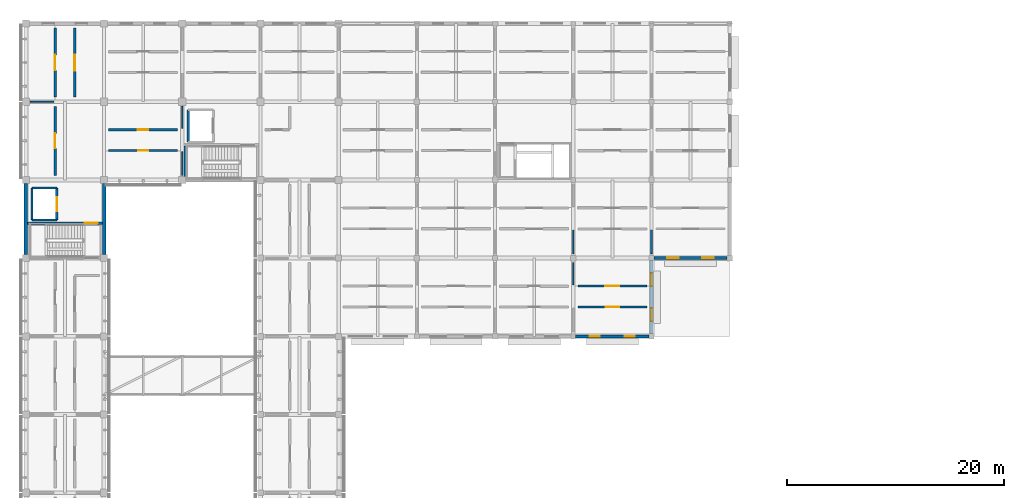
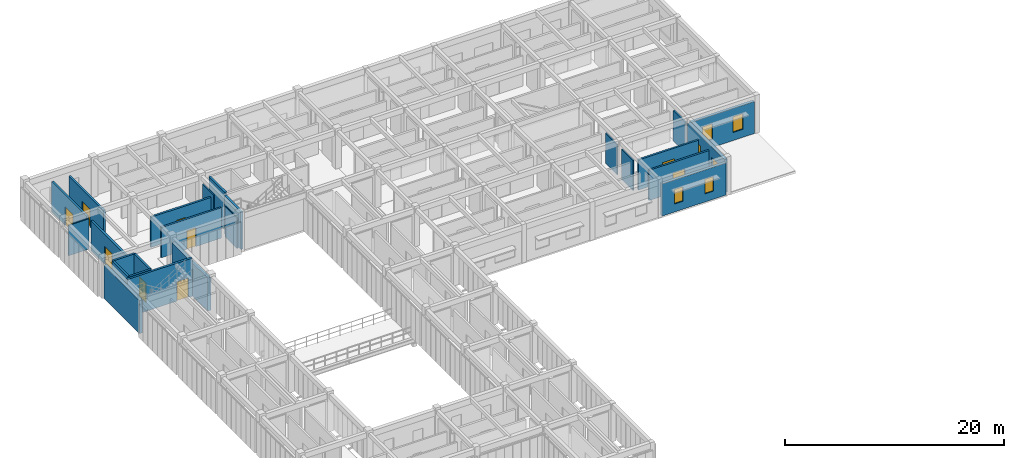
# One storey, part 73 of 91: 25 walls, 9 doors, 6 windows, 15 openings.
"""IFC4 building model written with IfcOpenShell, lengths in metres."""

from ifc_helpers import new_model, si_unit, direction, frame, frame_2d, origin, place, context, subcontext, project, spatial, rectangle, extrude, material, layer, layer_set, type_object, element, fill, save


model = new_model("IFC4")

# Units and contexts
model_context = context("Model", 3, precision=1e-05, world=origin(), true_north=direction((0.0, 1.0)))
body_context = subcontext(model_context, "Body", "Model", "MODEL_VIEW")
ifc_project = project(units=[si_unit("LENGTHUNIT", "METRE"), si_unit("AREAUNIT", "SQUARE_METRE"), si_unit("VOLUMEUNIT", "CUBIC_METRE"), si_unit("PLANEANGLEUNIT", "RADIAN"), si_unit("MASSUNIT", "GRAM", prefix="KILO")], contexts=[model_context])

# Site, building, storey
site_placement = place(None, origin())
site = spatial("IfcSite", under=ifc_project, at=site_placement, CompositionType="ELEMENT")
building_placement = place(site_placement, origin())
building = spatial("IfcBuilding", under=site, at=building_placement, Name="Aldebral Square Health Centre", CompositionType="ELEMENT")
storey_placement = place(building_placement, frame((0.0, 0.0, 9.0)))
storey = spatial("IfcBuildingStorey", under=building, at=storey_placement, Name="L02", CompositionType="ELEMENT", Elevation=9.0)

# Wall, openings, windows
ifc_material_1 = material(Name="Ochre mineral-rendered concrete C35/45 court wall", Category="concrete")
ifc_layer_1 = layer(ifc_material_1, 0.280029296875, Name="Ochre mineral-rendered concrete C35/45 court wall", Category="concrete")
ifc_layer_set_1 = layer_set([ifc_layer_1], Name="Ochre mineral-rendered concrete C35/45 court wall")
wall_type_1 = type_object("IfcWallType", Name="EW-OCH-280", PredefinedType="STANDARD", material=ifc_layer_set_1)
wall_1_placement = place(storey_placement, frame((50.625, 86.39990234375, 0.0), z_axis=(0.0, 0.0, 1.0), x_axis=(1.0, 0.0, 0.0)))
wall_1 = element("IfcWall", 1, at=wall_1_placement, inside=storey, type_object=wall_type_1, Name="L02 V2 exterior wall L02-V2-07-12-S", PredefinedType="STANDARD", context=body_context, shape_type="SweptSolid", body=[
    extrude(rectangle(XDim=6.72509765625, YDim=0.280029296875, at=frame_2d((3.362548828125, 0.0))), origin(), (0.0, 0.0, 1.0), 3.590087890625),
])
opening_1_placement = place(wall_1_placement, frame((1.300048828125, 0.0, 0.89990234375)))
opening_1 = element("IfcOpeningElement", 2, at=opening_1_placement, cuts=wall_1, Name="Opening W28", PredefinedType="OPENING", context=body_context, shape_type="SweptSolid", body=[
    extrude(rectangle(XDim=0.89990234375, YDim=1.6201171875, at=frame_2d((0.449951171875, 0.81005859375))), frame((0.0, 0.14990234375, 0.0), z_axis=(0.0, -1.0, 0.0), x_axis=(1.0, 0.0, 0.0)), (0.0, 0.0, 1.0), 0.300048828125),
])
opening_2_placement = place(wall_1_placement, frame((4.52490234375, 0.0, 0.89990234375)))
opening_2 = element("IfcOpeningElement", 3, at=opening_2_placement, cuts=wall_1, Name="Opening W28", PredefinedType="OPENING", context=body_context, shape_type="SweptSolid", body=[
    extrude(rectangle(XDim=0.89990234375, YDim=1.6201171875, at=frame_2d((0.449951171875, 0.81005859375))), frame((0.0, 0.14990234375, 0.0), z_axis=(0.0, -1.0, 0.0), x_axis=(1.0, 0.0, 0.0)), (0.0, 0.0, 1.0), 0.300048828125),
])
ifc_material_2 = material(Name="Thermally broken aluminium and low-E glass", Category="aluminium")
window_type_1 = type_object("IfcWindowType", Name="WIN-W28", PartitioningType="SINGLE_PANEL", PredefinedType="WINDOW", material=ifc_material_2)
window_1_placement = place(opening_1_placement, origin())
window_1 = element("IfcWindow", 4, at=window_1_placement, inside=storey, type_object=window_type_1, Name="L02 clinical window L02-V2-07-12-S.1", OverallHeight=1.6201171875, OverallWidth=0.89990234375, PartitioningType="SINGLE_PANEL", PredefinedType="WINDOW", context=body_context, shape_type="SweptSolid", body=[
    extrude(rectangle(XDim=0.89990234375, YDim=1.6201171875, at=frame_2d((0.449951171875, 0.81005859375))), frame((0.0, 0.030029296875, 0.0), z_axis=(0.0, -1.0, 0.0), x_axis=(1.0, 0.0, 0.0)), (0.0, 0.0, 1.0), 0.06005859375),
])
fill(opening_1, window_1)
window_2_placement = place(opening_2_placement, origin())
window_2 = element("IfcWindow", 5, at=window_2_placement, inside=storey, type_object=window_type_1, Name="L02 clinical window L02-V2-07-12-S.2", OverallHeight=1.6201171875, OverallWidth=0.89990234375, PartitioningType="SINGLE_PANEL", PredefinedType="WINDOW", context=body_context, shape_type="SweptSolid", body=[
    extrude(rectangle(XDim=0.89990234375, YDim=1.6201171875, at=frame_2d((0.449951171875, 0.81005859375))), frame((0.0, 0.030029296875, 0.0), z_axis=(0.0, -1.0, 0.0), x_axis=(1.0, 0.0, 0.0)), (0.0, 0.0, 1.0), 0.06005859375),
])
fill(opening_2, window_2)

wall_2_placement = place(storey_placement, frame((57.824951171875, 93.60009765625, 0.0), z_axis=(0.0, 0.0, 1.0), x_axis=(1.0, 0.0, 0.0)))
wall_2 = element("IfcWall", 6, at=wall_2_placement, inside=storey, type_object=wall_type_1, Name="L02 V2 exterior wall L02-V2-08-13-S", PredefinedType="STANDARD", context=body_context, shape_type="SweptSolid", body=[
    extrude(rectangle(XDim=6.72509765625, YDim=0.280029296875, at=frame_2d((3.362548828125, 0.0))), origin(), (0.0, 0.0, 1.0), 3.590087890625),
])
opening_3_placement = place(wall_2_placement, frame((1.22509765625, 0.0, 0.89990234375)))
opening_3 = element("IfcOpeningElement", 7, at=opening_3_placement, cuts=wall_2, Name="Opening W38", PredefinedType="OPENING", context=body_context, shape_type="SweptSolid", body=[
    extrude(rectangle(XDim=1.050048828125, YDim=1.75, at=frame_2d((0.52490234375, 0.875))), frame((0.0, 0.14990234375, 0.0), z_axis=(0.0, -1.0, 0.0), x_axis=(1.0, 0.0, 0.0)), (0.0, 0.0, 1.0), 0.300048828125),
])
opening_4_placement = place(wall_2_placement, frame((4.449951171875, 0.0, 0.89990234375)))
opening_4 = element("IfcOpeningElement", 8, at=opening_4_placement, cuts=wall_2, Name="Opening W38", PredefinedType="OPENING", context=body_context, shape_type="SweptSolid", body=[
    extrude(rectangle(XDim=1.050048828125, YDim=1.75, at=frame_2d((0.52490234375, 0.875))), frame((0.0, 0.14990234375, 0.0), z_axis=(0.0, -1.0, 0.0), x_axis=(1.0, 0.0, 0.0)), (0.0, 0.0, 1.0), 0.300048828125),
])
window_type_2 = type_object("IfcWindowType", Name="WIN-W38", PartitioningType="SINGLE_PANEL", PredefinedType="WINDOW", material=ifc_material_2)
window_3_placement = place(opening_3_placement, origin())
window_3 = element("IfcWindow", 9, at=window_3_placement, inside=storey, type_object=window_type_2, Name="L02 clinical window L02-V2-08-13-S.1", OverallHeight=1.75, OverallWidth=1.050048828125, PartitioningType="SINGLE_PANEL", PredefinedType="WINDOW", context=body_context, shape_type="SweptSolid", body=[
    extrude(rectangle(XDim=1.050048828125, YDim=1.75, at=frame_2d((0.52490234375, 0.875))), frame((0.0, 0.030029296875, 0.0), z_axis=(0.0, -1.0, 0.0), x_axis=(1.0, 0.0, 0.0)), (0.0, 0.0, 1.0), 0.06005859375),
])
fill(opening_3, window_3)
window_4_placement = place(opening_4_placement, origin())
window_4 = element("IfcWindow", 10, at=window_4_placement, inside=storey, type_object=window_type_2, Name="L02 clinical window L02-V2-08-13-S.2", OverallHeight=1.75, OverallWidth=1.050048828125, PartitioningType="SINGLE_PANEL", PredefinedType="WINDOW", context=body_context, shape_type="SweptSolid", body=[
    extrude(rectangle(XDim=1.050048828125, YDim=1.75, at=frame_2d((0.52490234375, 0.875))), frame((0.0, 0.030029296875, 0.0), z_axis=(0.0, -1.0, 0.0), x_axis=(1.0, 0.0, 0.0)), (0.0, 0.0, 1.0), 0.06005859375),
])
fill(opening_4, window_4)

# Walls
ifc_material_3 = material(Name="Precast concrete C40/50 insulated panel", Category="concrete")
ifc_layer_2 = layer(ifc_material_3, 0.320068359375, Name="Precast concrete C40/50 insulated panel", Category="concrete")
ifc_layer_set_2 = layer_set([ifc_layer_2], Name="Precast concrete C40/50 insulated panel")
wall_type_2 = type_object("IfcWallType", Name="EW-PRE-320", PredefinedType="STANDARD", material=ifc_layer_set_2)
for number, where, z_axis, x_axis, name in (
    (11, (0.0, 100.47509765625, 0.0), (0.0, 0.0, 1.0), (0.0, -1.0, 0.0), "L02 V4 exterior wall L02-V4-00-13-W"),
    (12, (7.199951171875, 93.925048828125, 0.0), (0.0, 0.0, 1.0), (0.0, 1.0, 0.0), "L02 V4 exterior wall L02-V4-00-13-E"),
):
    element("IfcWall", number, at=place(storey_placement, frame(where, z_axis=z_axis, x_axis=x_axis)), inside=storey, type_object=wall_type_2, Name=name, PredefinedType="STANDARD", context=body_context, shape_type="SweptSolid", body=[
        extrude(rectangle(XDim=6.550048828125, YDim=0.320068359375, at=frame_2d((3.27490234375, 0.0))), origin(), (0.0, 0.0, 1.0), 3.68994140625),
    ])

# Wall, openings, windows
wall_3_placement = place(storey_placement, frame((57.60009765625, 86.64990234375, 0.0), z_axis=(0.0, 0.0, 1.0), x_axis=(0.0, 1.0, 0.0)))
wall_3 = element("IfcWall", 13, at=wall_3_placement, inside=storey, type_object=wall_type_2, Name="L02 V2 exterior wall L02-V2-07-12-E", PredefinedType="STANDARD", context=body_context, shape_type="SweptSolid", body=[
    extrude(rectangle(XDim=6.72509765625, YDim=0.320068359375, at=frame_2d((3.362548828125, 0.0))), origin(), (0.0, 0.0, 1.0), 3.68994140625),
])
opening_5_placement = place(wall_3_placement, frame((1.14990234375, 0.0, 0.89990234375)))
opening_5 = element("IfcOpeningElement", 14, at=opening_5_placement, cuts=wall_3, Name="Opening W30", PredefinedType="OPENING", context=body_context, shape_type="SweptSolid", body=[
    extrude(rectangle(XDim=1.199951171875, YDim=1.6201171875, at=frame_2d((0.60009765625, 0.81005859375))), frame((0.0, 0.169921875, 0.0), z_axis=(0.0, -1.0, 0.0), x_axis=(1.0, 0.0, 0.0)), (0.0, 0.0, 1.0), 0.340087890625),
])
opening_6_placement = place(wall_3_placement, frame((4.375, 0.0, 0.89990234375)))
opening_6 = element("IfcOpeningElement", 15, at=opening_6_placement, cuts=wall_3, Name="Opening W30", PredefinedType="OPENING", context=body_context, shape_type="SweptSolid", body=[
    extrude(rectangle(XDim=1.199951171875, YDim=1.6201171875, at=frame_2d((0.60009765625, 0.81005859375))), frame((0.0, 0.169921875, 0.0), z_axis=(0.0, -1.0, 0.0), x_axis=(1.0, 0.0, 0.0)), (0.0, 0.0, 1.0), 0.340087890625),
])
window_type_3 = type_object("IfcWindowType", Name="WIN-W30", PartitioningType="SINGLE_PANEL", PredefinedType="WINDOW", material=ifc_material_2)
window_5_placement = place(opening_5_placement, origin())
window_5 = element("IfcWindow", 16, at=window_5_placement, inside=storey, type_object=window_type_3, Name="L02 clinical window L02-V2-07-12-E.1", OverallHeight=1.6201171875, OverallWidth=1.199951171875, PartitioningType="SINGLE_PANEL", PredefinedType="WINDOW", context=body_context, shape_type="SweptSolid", body=[
    extrude(rectangle(XDim=1.199951171875, YDim=1.6201171875, at=frame_2d((0.60009765625, 0.81005859375))), frame((0.0, 0.030029296875, 0.0), z_axis=(0.0, -1.0, 0.0), x_axis=(1.0, 0.0, 0.0)), (0.0, 0.0, 1.0), 0.06005859375),
])
fill(opening_5, window_5)
window_6_placement = place(opening_6_placement, origin())
window_6 = element("IfcWindow", 17, at=window_6_placement, inside=storey, type_object=window_type_3, Name="L02 clinical window L02-V2-07-12-E.2", OverallHeight=1.6201171875, OverallWidth=1.199951171875, PartitioningType="SINGLE_PANEL", PredefinedType="WINDOW", context=body_context, shape_type="SweptSolid", body=[
    extrude(rectangle(XDim=1.199951171875, YDim=1.6201171875, at=frame_2d((0.60009765625, 0.81005859375))), frame((0.0, 0.030029296875, 0.0), z_axis=(0.0, -1.0, 0.0), x_axis=(1.0, 0.0, 0.0)), (0.0, 0.0, 1.0), 0.06005859375),
])
fill(opening_6, window_6)

# Wall, opening, door
ifc_material_4 = material(Name="Concrete C35/45 compartment wall", Category="concrete")
ifc_layer_3 = layer(ifc_material_4, 0.199951171875, Name="Concrete C35/45 compartment wall", Category="concrete")
ifc_layer_set_3 = layer_set([ifc_layer_3], Name="Concrete C35/45 compartment wall")
wall_type_3 = type_object("IfcWallType", Name="IW-CMP-200", PredefinedType="SOLIDWALL", material=ifc_layer_set_3)
wall_4_placement = place(storey_placement, frame((50.820068359375, 89.10009765625, 0.0), z_axis=(0.0, 0.0, 1.0), x_axis=(1.0, 0.0, 0.0)))
wall_4 = element("IfcWall", 18, at=wall_4_placement, inside=storey, type_object=wall_type_3, Name="L02 Central Sterile Supply 8.13S corridor wall", PredefinedType="SOLIDWALL", context=body_context, shape_type="SweptSolid", body=[
    extrude(rectangle(XDim=6.35986328125, YDim=0.199951171875, at=frame_2d((3.179931640625, 0.0))), origin(), (0.0, 0.0, 1.0), 3.3798828125),
])
opening_7_placement = place(wall_4_placement, frame((2.550048828125, 0.0, 0.0)))
opening_7 = element("IfcOpeningElement", 19, at=opening_7_placement, cuts=wall_4, Name="Opening D-0417", PredefinedType="OPENING", context=body_context, shape_type="SweptSolid", body=[
    extrude(rectangle(XDim=1.260009765625, YDim=2.18994140625, at=frame_2d((0.6298828125, 1.094970703125))), frame((0.0, 0.10986328125, 0.0), z_axis=(0.0, -1.0, 0.0), x_axis=(1.0, 0.0, 0.0)), (0.0, 0.0, 1.0), 0.219970703125),
])
ifc_material_5 = material(Name="Clinical suite fire door")
door_type_1 = type_object("IfcDoorType", Name="ID-EXD-57", OperationType="NOTDEFINED", PredefinedType="DOOR", material=ifc_material_5)
door_1_placement = place(opening_7_placement, origin())
door_1 = element("IfcDoor", 20, at=door_1_placement, inside=storey, type_object=door_type_1, Name="L02 Central Sterile Supply 8.13S door", OperationType="SINGLE_SWING_RIGHT", OverallHeight=2.18994140625, OverallWidth=1.260009765625, PredefinedType="DOOR", context=body_context, shape_type="SweptSolid", body=[
    extrude(rectangle(XDim=1.260009765625, YDim=2.18994140625, at=frame_2d((0.6298828125, 1.094970703125))), frame((0.0, 0.02490234375, 0.0), z_axis=(0.0, -1.0, 0.0), x_axis=(1.0, 0.0, 0.0)), (0.0, 0.0, 1.0), 0.050048828125),
])
fill(opening_7, door_1)

wall_5_placement = place(storey_placement, frame((50.820068359375, 91.02001953125, 0.0), z_axis=(0.0, 0.0, 1.0), x_axis=(1.0, 0.0, 0.0)))
wall_5 = element("IfcWall", 21, at=wall_5_placement, inside=storey, type_object=wall_type_3, Name="L02 Sterile Instrument Store 8.13N corridor wall", PredefinedType="SOLIDWALL", context=body_context, shape_type="SweptSolid", body=[
    extrude(rectangle(XDim=6.35986328125, YDim=0.199951171875, at=frame_2d((3.179931640625, 0.0))), origin(), (0.0, 0.0, 1.0), 3.3798828125),
])
opening_8_placement = place(wall_5_placement, frame((2.530029296875, 0.0, 0.0)))
opening_8 = element("IfcOpeningElement", 22, at=opening_8_placement, cuts=wall_5, Name="Opening D-0418", PredefinedType="OPENING", context=body_context, shape_type="SweptSolid", body=[
    extrude(rectangle(XDim=1.300048828125, YDim=2.18994140625, at=frame_2d((0.64990234375, 1.094970703125))), frame((0.0, 0.10986328125, 0.0), z_axis=(0.0, -1.0, 0.0), x_axis=(1.0, 0.0, 0.0)), (0.0, 0.0, 1.0), 0.219970703125),
])
door_type_2 = type_object("IfcDoorType", Name="ID-EXD-58", OperationType="NOTDEFINED", PredefinedType="DOOR", material=ifc_material_5)
door_2_placement = place(opening_8_placement, origin())
door_2 = element("IfcDoor", 23, at=door_2_placement, inside=storey, type_object=door_type_2, Name="L02 Sterile Instrument Store 8.13N door", OperationType="SINGLE_SWING_LEFT", OverallHeight=2.18994140625, OverallWidth=1.300048828125, PredefinedType="DOOR", context=body_context, shape_type="SweptSolid", body=[
    extrude(rectangle(XDim=1.300048828125, YDim=2.18994140625, at=frame_2d((0.64990234375, 1.094970703125))), frame((0.0, 0.02490234375, 0.0), z_axis=(0.0, -1.0, 0.0), x_axis=(1.0, 0.0, 0.0)), (0.0, 0.0, 1.0), 0.050048828125),
])
fill(opening_8, door_2)

wall_6_placement = place(storey_placement, frame((4.5, 108.419921875, 0.0), z_axis=(0.0, 0.0, 1.0), x_axis=(0.0, 1.0, 0.0)))
wall_6 = element("IfcWall", 24, at=wall_6_placement, inside=storey, type_object=wall_type_3, Name="L02 Paediatric Examination Room 1.16E corridor wall", PredefinedType="SOLIDWALL", context=body_context, shape_type="SweptSolid", body=[
    extrude(rectangle(XDim=6.360107421875, YDim=0.199951171875, at=frame_2d((3.18017578125, 0.0))), origin(), (0.0, 0.0, 1.0), 3.3798828125),
])
opening_9_placement = place(wall_6_placement, frame((2.449951171875, 0.0, 0.0)))
opening_9 = element("IfcOpeningElement", 25, at=opening_9_placement, cuts=wall_6, Name="Opening D-0443", PredefinedType="OPENING", context=body_context, shape_type="SweptSolid", body=[
    extrude(rectangle(XDim=1.4599609375, YDim=2.0400390625, at=frame_2d((0.72998046875, 1.02001953125))), frame((0.0, 0.10986328125, 0.0), z_axis=(0.0, -1.0, 0.0), x_axis=(1.0, 0.0, 0.0)), (0.0, 0.0, 1.0), 0.219970703125),
])
door_type_3 = type_object("IfcDoorType", Name="ID-EXD-14", OperationType="NOTDEFINED", PredefinedType="DOOR", material=ifc_material_5)
door_3_placement = place(opening_9_placement, origin())
door_3 = element("IfcDoor", 26, at=door_3_placement, inside=storey, type_object=door_type_3, Name="L02 Paediatric Examination Room 1.16E door", OperationType="SINGLE_SWING_RIGHT", OverallHeight=2.0400390625, OverallWidth=1.4599609375, PredefinedType="DOOR", context=body_context, shape_type="SweptSolid", body=[
    extrude(rectangle(XDim=1.4599609375, YDim=2.0400390625, at=frame_2d((0.72998046875, 1.02001953125))), frame((0.0, 0.02490234375, 0.0), z_axis=(0.0, -1.0, 0.0), x_axis=(1.0, 0.0, 0.0)), (0.0, 0.0, 1.0), 0.050048828125),
])
fill(opening_9, door_3)

wall_7_placement = place(storey_placement, frame((7.6201171875, 103.5, 0.0), z_axis=(0.0, 0.0, 1.0), x_axis=(1.0, 0.0, 0.0)))
wall_7 = element("IfcWall", 27, at=wall_7_placement, inside=storey, type_object=wall_type_3, Name="L02 General Consulting Room 2.15S corridor wall", PredefinedType="SOLIDWALL", context=body_context, shape_type="SweptSolid", body=[
    extrude(rectangle(XDim=6.35986328125, YDim=0.199951171875, at=frame_2d((3.179931640625, 0.0))), origin(), (0.0, 0.0, 1.0), 3.3798828125),
])
opening_10_placement = place(wall_7_placement, frame((2.7099609375, 0.0, 0.0)))
opening_10 = element("IfcOpeningElement", 28, at=opening_10_placement, cuts=wall_7, Name="Opening D-0446", PredefinedType="OPENING", context=body_context, shape_type="SweptSolid", body=[
    extrude(rectangle(XDim=0.93994140625, YDim=2.090087890625, at=frame_2d((0.469970703125, 1.044921875))), frame((0.0, 0.10986328125, 0.0), z_axis=(0.0, -1.0, 0.0), x_axis=(1.0, 0.0, 0.0)), (0.0, 0.0, 1.0), 0.219970703125),
])
door_type_4 = type_object("IfcDoorType", Name="ID-EXD-17", OperationType="NOTDEFINED", PredefinedType="DOOR", material=ifc_material_5)
door_4_placement = place(opening_10_placement, origin())
door_4 = element("IfcDoor", 29, at=door_4_placement, inside=storey, type_object=door_type_4, Name="L02 General Consulting Room 2.15S door", OperationType="SINGLE_SWING_LEFT", OverallHeight=2.090087890625, OverallWidth=0.93994140625, PredefinedType="DOOR", context=body_context, shape_type="SweptSolid", body=[
    extrude(rectangle(XDim=0.93994140625, YDim=2.090087890625, at=frame_2d((0.469970703125, 1.044921875))), frame((0.0, 0.02490234375, 0.0), z_axis=(0.0, -1.0, 0.0), x_axis=(1.0, 0.0, 0.0)), (0.0, 0.0, 1.0), 0.050048828125),
])
fill(opening_10, door_4)

ifc_material_6 = material(Name="Concrete C40/50", Category="concrete")
ifc_layer_4 = layer(ifc_material_6, 0.219970703125, Name="Concrete C40/50", Category="concrete")
ifc_layer_set_4 = layer_set([ifc_layer_4], Name="Concrete C40/50")
wall_type_4 = type_object("IfcWallType", Name="IW-CORE-280", PredefinedType="SHEAR", material=ifc_layer_set_4)
wall_8_placement = place(storey_placement, frame((0.159912109375, 96.830078125, 0.0), z_axis=(0.0, 0.0, 1.0), x_axis=(1.0, 0.0, 0.0)))
wall_8 = element("IfcWall", 30, at=wall_8_placement, inside=storey, type_object=wall_type_4, Name="L02 WC-C1 shaft wall N", PredefinedType="SHEAR", context=body_context, shape_type="SweptSolid", body=[
    extrude(rectangle(XDim=6.880126953125, YDim=0.219970703125, at=frame_2d((3.43994140625, 0.0))), origin(), (0.0, 0.0, 1.0), 4.239990234375),
])
opening_11_placement = place(wall_8_placement, frame((5.25, 0.0, 0.0)))
opening_11 = element("IfcOpeningElement", 31, at=opening_11_placement, cuts=wall_8, Name="Opening D-0008", PredefinedType="OPENING", context=body_context, shape_type="SweptSolid", body=[
    extrude(rectangle(XDim=1.199951171875, YDim=2.14990234375, at=frame_2d((0.60009765625, 1.074951171875))), frame((0.0, 0.1201171875, 0.0), z_axis=(0.0, -1.0, 0.0), x_axis=(1.0, 0.0, 0.0)), (0.0, 0.0, 1.0), 0.239990234375),
])
ifc_material_7 = material(Name="Fire-rated steel stair door", Category="steel")
door_type_5 = type_object("IfcDoorType", Name="ID-ST-120", OperationType="NOTDEFINED", PredefinedType="DOOR", material=ifc_material_7)
door_5_placement = place(opening_11_placement, origin())
door_5 = element("IfcDoor", 32, at=door_5_placement, inside=storey, type_object=door_type_5, Name="L02 ST-01 fire door", OperationType="SINGLE_SWING_RIGHT", OverallHeight=2.14990234375, OverallWidth=1.199951171875, PredefinedType="DOOR", context=body_context, shape_type="SweptSolid", body=[
    extrude(rectangle(XDim=1.199951171875, YDim=2.14990234375, at=frame_2d((0.60009765625, 1.074951171875))), frame((0.0, 0.02490234375, 0.0), z_axis=(0.0, -1.0, 0.0), x_axis=(1.0, 0.0, 0.0)), (0.0, 0.0, 1.0), 0.050048828125),
])
fill(opening_11, door_5)

# Walls
wall_9_placement = place(storey_placement, frame((14.669921875, 100.919921875, 0.0), z_axis=(0.0, 0.0, 1.0), x_axis=(0.0, 1.0, 0.0)))
element("IfcWall", 33, at=wall_9_placement, inside=storey, type_object=wall_type_4, Name="L02 WC-C2 shaft wall W", PredefinedType="SHEAR", context=body_context, shape_type="SweptSolid", body=[
    extrude(rectangle(XDim=3.0, YDim=0.219970703125, at=frame_2d((1.5, 0.0))), origin(), (0.0, 0.0, 1.0), 4.239990234375),
])
ifc_layer_5 = layer(ifc_material_6, 0.199951171875, Name="Concrete C40/50", Category="concrete")
ifc_layer_set_5 = layer_set([ifc_layer_5], Name="Concrete C40/50")
wall_type_5 = type_object("IfcWallType", Name="IW-LFT-250", PredefinedType="SHEAR", material=ifc_layer_set_5)
wall_10_placement = place(storey_placement, frame((0.550048828125, 97.10009765625, 0.0), z_axis=(0.0, 0.0, 1.0), x_axis=(1.0, 0.0, 0.0)))
element("IfcWall", 34, at=wall_10_placement, inside=storey, type_object=wall_type_5, Name="L02 LF-01 shaft wall S", PredefinedType="SHEAR", context=body_context, shape_type="SweptSolid", body=[
    extrude(rectangle(XDim=2.300048828125, YDim=0.199951171875, at=frame_2d((1.14990234375, 0.0))), origin(), (0.0, 0.0, 1.0), 4.239990234375),
])
wall_11_placement = place(storey_placement, frame((0.550048828125, 97.10009765625, 0.0), z_axis=(0.0, 0.0, 1.0), x_axis=(0.0, 1.0, 0.0)))
element("IfcWall", 35, at=wall_11_placement, inside=storey, type_object=wall_type_5, Name="L02 LF-01 shaft wall W", PredefinedType="SHEAR", context=body_context, shape_type="SweptSolid", body=[
    extrude(rectangle(XDim=2.949951171875, YDim=0.199951171875, at=frame_2d((1.47509765625, 0.0))), origin(), (0.0, 0.0, 1.0), 4.239990234375),
])
wall_12_placement = place(storey_placement, frame((0.550048828125, 100.050048828125, 0.0), z_axis=(0.0, 0.0, 1.0), x_axis=(1.0, 0.0, 0.0)))
element("IfcWall", 36, at=wall_12_placement, inside=storey, type_object=wall_type_5, Name="L02 LF-01 shaft wall N", PredefinedType="SHEAR", context=body_context, shape_type="SweptSolid", body=[
    extrude(rectangle(XDim=2.300048828125, YDim=0.199951171875, at=frame_2d((1.14990234375, 0.0))), origin(), (0.0, 0.0, 1.0), 4.239990234375),
])

# Wall, opening, door
wall_13_placement = place(storey_placement, frame((2.85009765625, 97.10009765625, 0.0), z_axis=(0.0, 0.0, 1.0), x_axis=(0.0, 1.0, 0.0)))
wall_13 = element("IfcWall", 37, at=wall_13_placement, inside=storey, type_object=wall_type_5, Name="L02 LF-01 landing wall", PredefinedType="SHEAR", context=body_context, shape_type="SweptSolid", body=[
    extrude(rectangle(XDim=2.949951171875, YDim=0.199951171875, at=frame_2d((1.47509765625, 0.0))), origin(), (0.0, 0.0, 1.0), 4.239990234375),
])
opening_12_placement = place(wall_13_placement, frame((0.824951171875, 0.0, 0.0)))
opening_12 = element("IfcOpeningElement", 38, at=opening_12_placement, cuts=wall_13, Name="Opening D-0010", PredefinedType="OPENING", context=body_context, shape_type="SweptSolid", body=[
    extrude(rectangle(XDim=1.300048828125, YDim=2.14990234375, at=frame_2d((0.64990234375, 1.074951171875))), frame((0.0, 0.10986328125, 0.0), z_axis=(0.0, -1.0, 0.0), x_axis=(1.0, 0.0, 0.0)), (0.0, 0.0, 1.0), 0.219970703125),
])
ifc_material_8 = material(Name="Stainless steel stretcher lift landing door", Category="steel")
door_type_6 = type_object("IfcDoorType", Name="ID-LD-130", OperationType="SLIDING_TO_LEFT", PredefinedType="DOOR", material=ifc_material_8)
door_6_placement = place(opening_12_placement, origin())
door_6 = element("IfcDoor", 39, at=door_6_placement, inside=storey, type_object=door_type_6, Name="L02 LF-01 sliding landing door", OperationType="SLIDING_TO_LEFT", OverallHeight=2.14990234375, OverallWidth=1.300048828125, PredefinedType="DOOR", context=body_context, shape_type="SweptSolid", body=[
    extrude(rectangle(XDim=1.300048828125, YDim=2.14990234375, at=frame_2d((0.64990234375, 1.074951171875))), frame((0.0, 0.02490234375, 0.0), z_axis=(0.0, -1.0, 0.0), x_axis=(1.0, 0.0, 0.0)), (0.0, 0.0, 1.0), 0.050048828125),
])
fill(opening_12, door_6)

# Wall
wall_14_placement = place(storey_placement, frame((14.949951171875, 104.300048828125, 0.0), z_axis=(0.0, 0.0, 1.0), x_axis=(0.0, 1.0, 0.0)))
element("IfcWall", 40, at=wall_14_placement, inside=storey, type_object=wall_type_5, Name="L02 LF-02 shaft wall W", PredefinedType="SHEAR", context=body_context, shape_type="SweptSolid", body=[
    extrude(rectangle(XDim=2.949951171875, YDim=0.199951171875, at=frame_2d((1.47509765625, 0.0))), origin(), (0.0, 0.0, 1.0), 4.239990234375),
])

# Wall, opening, door
ifc_material_9 = material(Name="Moisture-resistant sanitary chase wall")
ifc_layer_6 = layer(ifc_material_9, 0.2099609375, Name="Moisture-resistant sanitary chase wall")
ifc_layer_set_6 = layer_set([ifc_layer_6], Name="Moisture-resistant sanitary chase wall")
wall_type_6 = type_object("IfcWallType", Name="IW-PLB-210", PredefinedType="PLUMBINGWALL", material=ifc_layer_set_6)
wall_15_placement = place(storey_placement, frame((2.699951171875, 101.219970703125, 0.0), z_axis=(0.0, 0.0, 1.0), x_axis=(0.0, 1.0, 0.0)))
wall_15 = element("IfcWall", 41, at=wall_15_placement, inside=storey, type_object=wall_type_6, Name="L02 Accessible WC 1.15W corridor wall", PredefinedType="PLUMBINGWALL", context=body_context, shape_type="SweptSolid", body=[
    extrude(rectangle(XDim=6.360107421875, YDim=0.2099609375, at=frame_2d((3.18017578125, 0.0))), origin(), (0.0, 0.0, 1.0), 3.3798828125),
])
opening_13_placement = place(wall_15_placement, frame((2.489990234375, 0.0, 0.0)))
opening_13 = element("IfcOpeningElement", 42, at=opening_13_placement, cuts=wall_15, Name="Opening D-0441", PredefinedType="OPENING", context=body_context, shape_type="SweptSolid", body=[
    extrude(rectangle(XDim=1.3798828125, YDim=2.0400390625, at=frame_2d((0.68994140625, 1.02001953125))), frame((0.0, 0.114990234375, 0.0), z_axis=(0.0, -1.0, 0.0), x_axis=(1.0, 0.0, 0.0)), (0.0, 0.0, 1.0), 0.22998046875),
])
door_type_7 = type_object("IfcDoorType", Name="ID-EXD-12", OperationType="NOTDEFINED", PredefinedType="DOOR", material=ifc_material_5)
door_7_placement = place(opening_13_placement, origin())
door_7 = element("IfcDoor", 43, at=door_7_placement, inside=storey, type_object=door_type_7, Name="L02 Accessible WC 1.15W door", OperationType="SINGLE_SWING_RIGHT", OverallHeight=2.0400390625, OverallWidth=1.3798828125, PredefinedType="DOOR", context=body_context, shape_type="SweptSolid", body=[
    extrude(rectangle(XDim=1.3798828125, YDim=2.0400390625, at=frame_2d((0.68994140625, 1.02001953125))), frame((0.0, 0.02490234375, 0.0), z_axis=(0.0, -1.0, 0.0), x_axis=(1.0, 0.0, 0.0)), (0.0, 0.0, 1.0), 0.050048828125),
])
fill(opening_13, door_7)

wall_16_placement = place(storey_placement, frame((2.699951171875, 108.419921875, 0.0), z_axis=(0.0, 0.0, 1.0), x_axis=(0.0, 1.0, 0.0)))
wall_16 = element("IfcWall", 44, at=wall_16_placement, inside=storey, type_object=wall_type_6, Name="L02 Family Toilet 1.16W corridor wall", PredefinedType="PLUMBINGWALL", context=body_context, shape_type="SweptSolid", body=[
    extrude(rectangle(XDim=6.360107421875, YDim=0.2099609375, at=frame_2d((3.18017578125, 0.0))), origin(), (0.0, 0.0, 1.0), 3.3798828125),
])
opening_14_placement = place(wall_16_placement, frame((2.469970703125, 0.0, 0.0)))
opening_14 = element("IfcOpeningElement", 45, at=opening_14_placement, cuts=wall_16, Name="Opening D-0442", PredefinedType="OPENING", context=body_context, shape_type="SweptSolid", body=[
    extrude(rectangle(XDim=1.419921875, YDim=2.0400390625, at=frame_2d((0.7099609375, 1.02001953125))), frame((0.0, 0.114990234375, 0.0), z_axis=(0.0, -1.0, 0.0), x_axis=(1.0, 0.0, 0.0)), (0.0, 0.0, 1.0), 0.22998046875),
])
door_type_8 = type_object("IfcDoorType", Name="ID-EXD-13", OperationType="NOTDEFINED", PredefinedType="DOOR", material=ifc_material_5)
door_8_placement = place(opening_14_placement, origin())
door_8 = element("IfcDoor", 46, at=door_8_placement, inside=storey, type_object=door_type_8, Name="L02 Family Toilet 1.16W door", OperationType="SINGLE_SWING_LEFT", OverallHeight=2.0400390625, OverallWidth=1.419921875, PredefinedType="DOOR", context=body_context, shape_type="SweptSolid", body=[
    extrude(rectangle(XDim=1.419921875, YDim=2.0400390625, at=frame_2d((0.7099609375, 1.02001953125))), frame((0.0, 0.02490234375, 0.0), z_axis=(0.0, -1.0, 0.0), x_axis=(1.0, 0.0, 0.0)), (0.0, 0.0, 1.0), 0.050048828125),
])
fill(opening_14, door_8)

wall_17_placement = place(storey_placement, frame((7.6201171875, 105.419921875, 0.0), z_axis=(0.0, 0.0, 1.0), x_axis=(1.0, 0.0, 0.0)))
wall_17 = element("IfcWall", 47, at=wall_17_placement, inside=storey, type_object=wall_type_6, Name="L02 Accessible WC 2.15N corridor wall", PredefinedType="PLUMBINGWALL", context=body_context, shape_type="SweptSolid", body=[
    extrude(rectangle(XDim=6.35986328125, YDim=0.2099609375, at=frame_2d((3.179931640625, 0.0))), origin(), (0.0, 0.0, 1.0), 3.3798828125),
])
opening_15_placement = place(wall_17_placement, frame((2.68994140625, 0.0, 0.0)))
opening_15 = element("IfcOpeningElement", 48, at=opening_15_placement, cuts=wall_17, Name="Opening D-0447", PredefinedType="OPENING", context=body_context, shape_type="SweptSolid", body=[
    extrude(rectangle(XDim=0.97998046875, YDim=2.090087890625, at=frame_2d((0.489990234375, 1.044921875))), frame((0.0, 0.114990234375, 0.0), z_axis=(0.0, -1.0, 0.0), x_axis=(1.0, 0.0, 0.0)), (0.0, 0.0, 1.0), 0.22998046875),
])
door_type_9 = type_object("IfcDoorType", Name="ID-EXD-18", OperationType="NOTDEFINED", PredefinedType="DOOR", material=ifc_material_5)
door_9_placement = place(opening_15_placement, origin())
door_9 = element("IfcDoor", 49, at=door_9_placement, inside=storey, type_object=door_type_9, Name="L02 Accessible WC 2.15N door", OperationType="SINGLE_SWING_RIGHT", OverallHeight=2.090087890625, OverallWidth=0.97998046875, PredefinedType="DOOR", context=body_context, shape_type="SweptSolid", body=[
    extrude(rectangle(XDim=0.97998046875, YDim=2.090087890625, at=frame_2d((0.489990234375, 1.044921875))), frame((0.0, 0.02490234375, 0.0), z_axis=(0.0, -1.0, 0.0), x_axis=(1.0, 0.0, 0.0)), (0.0, 0.0, 1.0), 0.050048828125),
])
fill(opening_15, door_9)

# Walls
ifc_material_10 = material(Name="Lightweight clinical partition")
ifc_layer_7 = layer(ifc_material_10, 0.10498046875, Name="Lightweight clinical partition")
ifc_layer_set_7 = layer_set([ifc_layer_7], Name="Lightweight clinical partition")
wall_type_7 = type_object("IfcWallType", Name="IW-PRT-105", PredefinedType="PARTITIONING", material=ifc_layer_set_7)
for number, where, z_axis, x_axis, name in (
    (50, (50.39990234375, 94.02001953125, 0.0), (0.0, 0.0, 1.0), (0.0, 1.0, 0.0), "L02 Day Surgery Operating Theatre 7.14S demising partition"),
    (51, (14.39990234375, 101.219970703125, 0.0), (0.0, 0.0, 1.0), (0.0, 1.0, 0.0), "L02 General Consulting Room 2.15S demising partition"),
):
    element("IfcWall", number, at=place(storey_placement, frame(where, z_axis=z_axis, x_axis=x_axis)), inside=storey, type_object=wall_type_7, Name=name, PredefinedType="PARTITIONING", context=body_context, shape_type="SweptSolid", body=[
        extrude(rectangle(XDim=2.159912109375, YDim=0.10498046875, at=frame_2d((1.080078125, 0.0))), origin(), (0.0, 0.0, 1.0), 3.3798828125),
    ])
wall_18_placement = place(storey_placement, frame((14.39990234375, 105.5400390625, 0.0), z_axis=(0.0, 0.0, 1.0), x_axis=(0.0, 1.0, 0.0)))
element("IfcWall", 52, at=wall_18_placement, inside=storey, type_object=wall_type_7, Name="L02 Accessible WC 2.15N demising partition", PredefinedType="PARTITIONING", context=body_context, shape_type="SweptSolid", body=[
    extrude(rectangle(XDim=2.0400390625, YDim=0.10498046875, at=frame_2d((1.02001953125, 0.0))), origin(), (0.0, 0.0, 1.0), 3.3798828125),
])
ifc_material_11 = material(Name="Acoustic clinical gypsum partition")
ifc_layer_8 = layer(ifc_material_11, 0.1201171875, Name="Acoustic clinical gypsum partition")
ifc_layer_set_8 = layer_set([ifc_layer_8], Name="Acoustic clinical gypsum partition")
wall_type_8 = type_object("IfcWallType", Name="IW-PRT-120", PredefinedType="PARTITIONING", material=ifc_layer_set_8)
wall_19_placement = place(storey_placement, frame((50.39990234375, 91.139892578125, 0.0), z_axis=(0.0, 0.0, 1.0), x_axis=(0.0, 1.0, 0.0)))
element("IfcWall", 53, at=wall_19_placement, inside=storey, type_object=wall_type_8, Name="L02 Accessible WC 7.13N demising partition", PredefinedType="PARTITIONING", context=body_context, shape_type="SweptSolid", body=[
    extrude(rectangle(XDim=2.0400390625, YDim=0.1201171875, at=frame_2d((1.02001953125, 0.0))), origin(), (0.0, 0.0, 1.0), 3.3798828125),
])
wall_20_placement = place(storey_placement, frame((0.419921875, 108.0, 0.0), z_axis=(0.0, 0.0, 1.0), x_axis=(1.0, 0.0, 0.0)))
element("IfcWall", 54, at=wall_20_placement, inside=storey, type_object=wall_type_8, Name="L02 Accessible WC 1.15W demising partition", PredefinedType="PARTITIONING", context=body_context, shape_type="SweptSolid", body=[
    extrude(rectangle(XDim=2.16015625, YDim=0.1201171875, at=frame_2d((1.080078125, 0.0))), origin(), (0.0, 0.0, 1.0), 3.3798828125),
])
ifc_layer_9 = layer(ifc_material_11, 0.14990234375, Name="Acoustic clinical gypsum partition")
ifc_layer_set_9 = layer_set([ifc_layer_9], Name="Acoustic clinical gypsum partition")
wall_type_9 = type_object("IfcWallType", Name="IW-PRT-150", PredefinedType="PARTITIONING", material=ifc_layer_set_9)
wall_21_placement = place(storey_placement, frame((57.60009765625, 94.02001953125, 0.0), z_axis=(0.0, 0.0, 1.0), x_axis=(0.0, 1.0, 0.0)))
element("IfcWall", 55, at=wall_21_placement, inside=storey, type_object=wall_type_9, Name="L02 Surgical Scrub and Gowning 8.14S demising partition", PredefinedType="PARTITIONING", context=body_context, shape_type="SweptSolid", body=[
    extrude(rectangle(XDim=2.159912109375, YDim=0.14990234375, at=frame_2d((1.080078125, 0.0))), origin(), (0.0, 0.0, 1.0), 3.3798828125),
])

save(model, "model.ifc")
